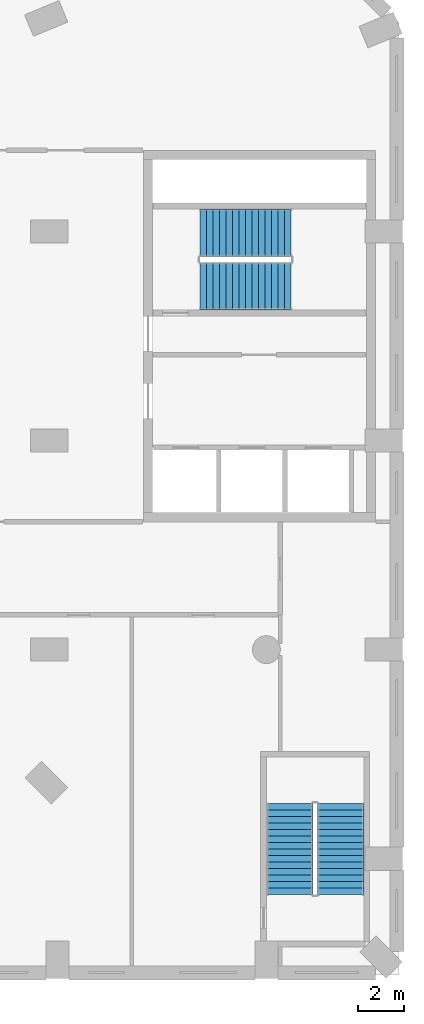
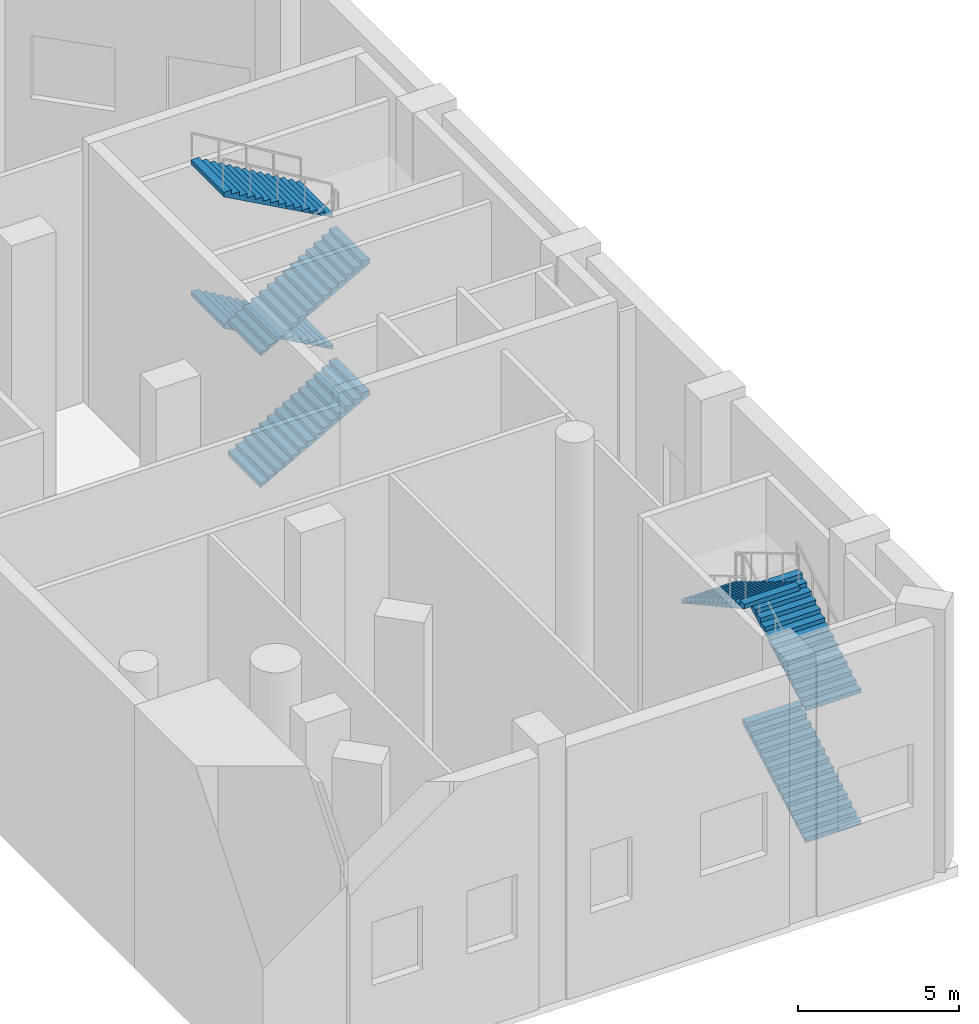
# One storey, part 13 of 17: 7 stair flights, 2 elements without a shape of their own.
"""IFC4 building model written with IfcOpenShell, lengths in metres."""

from ifc_helpers import new_model, si_unit, direction, frame, origin, place, context, subcontext, project, spatial, triangles, material, type_object, element, aggregate, save


model = new_model("IFC4")

# Units and contexts
model_context = context("Model", 3, precision=1e-05, world=origin(), true_north=direction((0.0, 1.0)))
body_context = subcontext(model_context, "Body", "Model", "MODEL_VIEW")
ifc_project = project(units=[si_unit("LENGTHUNIT", "METRE"), si_unit("AREAUNIT", "SQUARE_METRE"), si_unit("VOLUMEUNIT", "CUBIC_METRE"), si_unit("PLANEANGLEUNIT", "RADIAN"), si_unit("MASSUNIT", "GRAM", prefix="KILO")], contexts=[model_context])

# Site, building, storey
site_placement = place(None, origin())
site = spatial("IfcSite", under=ifc_project, at=site_placement, CompositionType="ELEMENT")
building_placement = place(site_placement, origin())
building = spatial("IfcBuilding", under=site, at=building_placement, Name="Cypress Arch Tower", CompositionType="ELEMENT")
storey_placement = place(building_placement, frame((0.0, 0.0, 19.0)))
storey = spatial("IfcBuildingStorey", under=building, at=storey_placement, Name="L02", CompositionType="ELEMENT", Elevation=19.0)

# Stair, stair flights
ifc_material_1 = material(Name="Concrete C40/50", Category="concrete")
stair_type_1 = type_object("IfcStairType", Name="Exit stair ES1667-200", PredefinedType="HALF_TURN_STAIR", material=ifc_material_1)
stair_1_placement = place(storey_placement, origin())
stair_1 = element("IfcStair", 1, at=stair_1_placement, inside=storey, type_object=stair_type_1, Name="L02 Exit stair P4", PredefinedType="HALF_TURN_STAIR")
ifc_material_2 = material(Name="Concrete C40/50", Category="concrete")
stair_flight_type_1 = type_object("IfcStairFlightType", Name="Exit stair flight ES1667-200", PredefinedType="STRAIGHT", material=ifc_material_2)
stair_flight_1_placement = place(storey_placement, frame((36.5, -24.050048828125, 0.0), z_axis=(0.0, 0.0, 1.0), x_axis=(0.0, 1.0, 0.0)))
stair_flight_1 = element("IfcStairFlight", 2, at=stair_flight_1_placement, type_object=stair_flight_type_1, Name="P4 flight 1", NumberOfRisers=15, NumberOfTreads=14, PredefinedType="STRAIGHT", RiserHeight=0.166666667, TreadLength=0.28, context=body_context, shape_type="Tessellation", body=[
    triangles([(0.0, -1.0, 0.0), (0.0, -1.0, 0.166748046875), (0.280029296875, -1.0, 0.166748046875), (0.280029296875, -1.0, 0.333251953125), (0.56005859375, -1.0, 0.333251953125), (0.56005859375, -1.0, 0.5), (0.840087890625, -1.0, 0.5), (0.840087890625, -1.0, 0.666748046875), (1.1201171875, -1.0, 0.666748046875), (1.1201171875, -1.0, 0.833251953125), (1.39990234375, -1.0, 0.833251953125), (1.39990234375, -1.0, 1.0), (1.679931640625, -1.0, 1.0), (1.679931640625, -1.0, 1.166748046875), (1.9599609375, -1.0, 1.166748046875), (1.9599609375, -1.0, 1.333251953125), (2.239990234375, -1.0, 1.333251953125), (2.239990234375, -1.0, 1.5), (2.52001953125, -1.0, 1.5), (2.52001953125, -1.0, 1.666748046875), (2.800048828125, -1.0, 1.666748046875), (2.800048828125, -1.0, 1.833251953125), (3.080078125, -1.0, 1.833251953125), (3.080078125, -1.0, 2.0), (3.360107421875, -1.0, 2.0), (3.360107421875, -1.0, 2.166748046875), (3.639892578125, -1.0, 2.166748046875), (3.639892578125, -1.0, 2.333251953125), (3.919921875, -1.0, 2.333251953125), (3.919921875, -1.0, 2.158935546875), (3.919921875, 1.0, 2.158935546875), (3.919921875, 1.0, 2.333251953125), (3.639892578125, 1.0, 2.333251953125), (3.639892578125, 1.0, 2.166748046875), (3.360107421875, 1.0, 2.166748046875), (3.360107421875, 1.0, 2.0), (3.080078125, 1.0, 2.0), (3.080078125, 1.0, 1.833251953125), (2.800048828125, 1.0, 1.833251953125), (2.800048828125, 1.0, 1.666748046875), (2.52001953125, 1.0, 1.666748046875), (2.52001953125, 1.0, 1.5), (2.239990234375, 1.0, 1.5), (2.239990234375, 1.0, 1.333251953125), (1.9599609375, 1.0, 1.333251953125), (1.9599609375, 1.0, 1.166748046875), (1.679931640625, 1.0, 1.166748046875), (1.679931640625, 1.0, 1.0), (1.39990234375, 1.0, 1.0), (1.39990234375, 1.0, 0.833251953125), (1.1201171875, 1.0, 0.833251953125), (1.1201171875, 1.0, 0.666748046875), (0.840087890625, 1.0, 0.666748046875), (0.840087890625, 1.0, 0.5), (0.56005859375, 1.0, 0.5), (0.56005859375, 1.0, 0.333251953125), (0.280029296875, 1.0, 0.333251953125), (0.280029296875, 1.0, 0.166748046875), (0.0, 1.0, 0.166748046875), (0.0, 1.0, 0.0)], [[30, 29, 28], [27, 26, 25], [25, 24, 23], [21, 20, 19], [19, 18, 17], [15, 14, 13], [13, 12, 11], [9, 8, 7], [7, 6, 5], [3, 2, 1], [11, 10, 9], [23, 22, 21], [17, 16, 15], [5, 4, 3], [30, 28, 27], [30, 27, 25], [30, 25, 23], [30, 23, 21], [30, 21, 19], [30, 19, 17], [30, 17, 15], [30, 15, 13], [30, 13, 11], [30, 11, 9], [30, 9, 7], [30, 7, 5], [1, 30, 5], [5, 3, 1], [31, 33, 32], [34, 36, 35], [36, 38, 37], [40, 42, 41], [42, 44, 43], [46, 48, 47], [48, 50, 49], [52, 54, 53], [54, 56, 55], [58, 60, 59], [50, 52, 51], [38, 40, 39], [44, 46, 45], [56, 58, 57], [31, 34, 33], [31, 36, 34], [31, 38, 36], [31, 40, 38], [31, 42, 40], [31, 44, 42], [31, 46, 44], [31, 48, 46], [31, 50, 48], [31, 52, 50], [31, 54, 52], [31, 56, 54], [60, 56, 31], [56, 60, 58], [31, 32, 29], [31, 29, 30], [32, 33, 28], [32, 28, 29], [33, 34, 27], [33, 27, 28], [34, 35, 26], [34, 26, 27], [35, 36, 25], [35, 25, 26], [36, 37, 24], [36, 24, 25], [37, 38, 23], [37, 23, 24], [38, 39, 22], [38, 22, 23], [39, 40, 21], [39, 21, 22], [40, 41, 20], [40, 20, 21], [41, 42, 19], [41, 19, 20], [42, 43, 18], [42, 18, 19], [43, 44, 17], [43, 17, 18], [44, 45, 16], [44, 16, 17], [45, 46, 15], [45, 15, 16], [46, 47, 14], [46, 14, 15], [47, 48, 13], [47, 13, 14], [48, 49, 12], [48, 12, 13], [49, 50, 11], [49, 11, 12], [50, 51, 10], [50, 10, 11], [51, 52, 9], [51, 9, 10], [52, 53, 8], [52, 8, 9], [53, 54, 7], [53, 7, 8], [54, 55, 6], [54, 6, 7], [55, 56, 5], [55, 5, 6], [56, 57, 4], [56, 4, 5], [57, 58, 3], [57, 3, 4], [58, 59, 2], [58, 2, 3], [59, 60, 1], [59, 1, 2], [60, 31, 30], [60, 30, 1]], closed=True),
])
stair_flight_2_placement = place(storey_placement, frame((36.5, -24.050048828125, 5.0), z_axis=(0.0, 0.0, 1.0), x_axis=(0.0, 1.0, 0.0)))
stair_flight_2 = element("IfcStairFlight", 3, at=stair_flight_2_placement, type_object=stair_flight_type_1, Name="P4 flight 3", NumberOfRisers=15, NumberOfTreads=14, PredefinedType="STRAIGHT", RiserHeight=0.166666667, TreadLength=0.28, context=body_context, shape_type="Tessellation", body=[
    triangles([(0.0, -1.0, 0.0), (0.0, -1.0, 0.166748046875), (0.280029296875, -1.0, 0.166748046875), (0.280029296875, -1.0, 0.333251953125), (0.56005859375, -1.0, 0.333251953125), (0.56005859375, -1.0, 0.5), (0.840087890625, -1.0, 0.5), (0.840087890625, -1.0, 0.666748046875), (1.1201171875, -1.0, 0.666748046875), (1.1201171875, -1.0, 0.833251953125), (1.39990234375, -1.0, 0.833251953125), (1.39990234375, -1.0, 1.0), (1.679931640625, -1.0, 1.0), (1.679931640625, -1.0, 1.166748046875), (1.9599609375, -1.0, 1.166748046875), (1.9599609375, -1.0, 1.333251953125), (2.239990234375, -1.0, 1.333251953125), (2.239990234375, -1.0, 1.5), (2.52001953125, -1.0, 1.5), (2.52001953125, -1.0, 1.666748046875), (2.800048828125, -1.0, 1.666748046875), (2.800048828125, -1.0, 1.833251953125), (3.080078125, -1.0, 1.833251953125), (3.080078125, -1.0, 2.0), (3.360107421875, -1.0, 2.0), (3.360107421875, -1.0, 2.166748046875), (3.639892578125, -1.0, 2.166748046875), (3.639892578125, -1.0, 2.333251953125), (3.919921875, -1.0, 2.333251953125), (3.919921875, -1.0, 2.158935546875), (3.919921875, 1.0, 2.158935546875), (3.919921875, 1.0, 2.333251953125), (3.639892578125, 1.0, 2.333251953125), (3.639892578125, 1.0, 2.166748046875), (3.360107421875, 1.0, 2.166748046875), (3.360107421875, 1.0, 2.0), (3.080078125, 1.0, 2.0), (3.080078125, 1.0, 1.833251953125), (2.800048828125, 1.0, 1.833251953125), (2.800048828125, 1.0, 1.666748046875), (2.52001953125, 1.0, 1.666748046875), (2.52001953125, 1.0, 1.5), (2.239990234375, 1.0, 1.5), (2.239990234375, 1.0, 1.333251953125), (1.9599609375, 1.0, 1.333251953125), (1.9599609375, 1.0, 1.166748046875), (1.679931640625, 1.0, 1.166748046875), (1.679931640625, 1.0, 1.0), (1.39990234375, 1.0, 1.0), (1.39990234375, 1.0, 0.833251953125), (1.1201171875, 1.0, 0.833251953125), (1.1201171875, 1.0, 0.666748046875), (0.840087890625, 1.0, 0.666748046875), (0.840087890625, 1.0, 0.5), (0.56005859375, 1.0, 0.5), (0.56005859375, 1.0, 0.333251953125), (0.280029296875, 1.0, 0.333251953125), (0.280029296875, 1.0, 0.166748046875), (0.0, 1.0, 0.166748046875), (0.0, 1.0, 0.0)], [[30, 29, 28], [27, 26, 25], [25, 24, 23], [21, 20, 19], [19, 18, 17], [15, 14, 13], [13, 12, 11], [9, 8, 7], [7, 6, 5], [3, 2, 1], [11, 10, 9], [23, 22, 21], [17, 16, 15], [5, 4, 3], [30, 28, 27], [30, 27, 25], [30, 25, 23], [30, 23, 21], [30, 21, 19], [30, 19, 17], [30, 17, 15], [30, 15, 13], [30, 13, 11], [30, 11, 9], [30, 9, 7], [30, 7, 5], [1, 30, 5], [5, 3, 1], [31, 33, 32], [34, 36, 35], [36, 38, 37], [40, 42, 41], [42, 44, 43], [46, 48, 47], [48, 50, 49], [52, 54, 53], [54, 56, 55], [58, 60, 59], [50, 52, 51], [38, 40, 39], [44, 46, 45], [56, 58, 57], [31, 34, 33], [31, 36, 34], [31, 38, 36], [31, 40, 38], [31, 42, 40], [31, 44, 42], [31, 46, 44], [31, 48, 46], [31, 50, 48], [31, 52, 50], [31, 54, 52], [31, 56, 54], [60, 56, 31], [56, 60, 58], [31, 32, 29], [31, 29, 30], [32, 33, 28], [32, 28, 29], [33, 34, 27], [33, 27, 28], [34, 35, 26], [34, 26, 27], [35, 36, 25], [35, 25, 26], [36, 37, 24], [36, 24, 25], [37, 38, 23], [37, 23, 24], [38, 39, 22], [38, 22, 23], [39, 40, 21], [39, 21, 22], [40, 41, 20], [40, 20, 21], [41, 42, 19], [41, 19, 20], [42, 43, 18], [42, 18, 19], [43, 44, 17], [43, 17, 18], [44, 45, 16], [44, 16, 17], [45, 46, 15], [45, 15, 16], [46, 47, 14], [46, 14, 15], [47, 48, 13], [47, 13, 14], [48, 49, 12], [48, 12, 13], [49, 50, 11], [49, 11, 12], [50, 51, 10], [50, 10, 11], [51, 52, 9], [51, 9, 10], [52, 53, 8], [52, 8, 9], [53, 54, 7], [53, 7, 8], [54, 55, 6], [54, 6, 7], [55, 56, 5], [55, 5, 6], [56, 57, 4], [56, 4, 5], [57, 58, 3], [57, 3, 4], [58, 59, 2], [58, 2, 3], [59, 60, 1], [59, 1, 2], [60, 31, 30], [60, 30, 1]], closed=True),
])
stair_flight_3_placement = place(storey_placement, frame((34.300048828125, -20.1298828125, 7.5), z_axis=(0.0, 0.0, 1.0), x_axis=(0.0, -1.0, 0.0)))
stair_flight_3 = element("IfcStairFlight", 4, at=stair_flight_3_placement, type_object=stair_flight_type_1, Name="P4 flight 4", NumberOfRisers=15, NumberOfTreads=14, PredefinedType="STRAIGHT", RiserHeight=0.166666667, TreadLength=0.28, context=body_context, shape_type="Tessellation", body=[
    triangles([(0.0, -1.0, 0.0), (0.0, -1.0, 0.166748046875), (0.280029296875, -1.0, 0.166748046875), (0.280029296875, -1.0, 0.333251953125), (0.56005859375, -1.0, 0.333251953125), (0.56005859375, -1.0, 0.5), (0.840087890625, -1.0, 0.5), (0.840087890625, -1.0, 0.666748046875), (1.1201171875, -1.0, 0.666748046875), (1.1201171875, -1.0, 0.833251953125), (1.39990234375, -1.0, 0.833251953125), (1.39990234375, -1.0, 1.0), (1.679931640625, -1.0, 1.0), (1.679931640625, -1.0, 1.166748046875), (1.9599609375, -1.0, 1.166748046875), (1.9599609375, -1.0, 1.333251953125), (2.239990234375, -1.0, 1.333251953125), (2.239990234375, -1.0, 1.5), (2.52001953125, -1.0, 1.5), (2.52001953125, -1.0, 1.666748046875), (2.800048828125, -1.0, 1.666748046875), (2.800048828125, -1.0, 1.833251953125), (3.080078125, -1.0, 1.833251953125), (3.080078125, -1.0, 2.0), (3.360107421875, -1.0, 2.0), (3.360107421875, -1.0, 2.166748046875), (3.639892578125, -1.0, 2.166748046875), (3.639892578125, -1.0, 2.333251953125), (3.919921875, -1.0, 2.333251953125), (3.919921875, -1.0, 2.158935546875), (3.919921875, 1.0, 2.158935546875), (3.919921875, 1.0, 2.333251953125), (3.639892578125, 1.0, 2.333251953125), (3.639892578125, 1.0, 2.166748046875), (3.360107421875, 1.0, 2.166748046875), (3.360107421875, 1.0, 2.0), (3.080078125, 1.0, 2.0), (3.080078125, 1.0, 1.833251953125), (2.800048828125, 1.0, 1.833251953125), (2.800048828125, 1.0, 1.666748046875), (2.52001953125, 1.0, 1.666748046875), (2.52001953125, 1.0, 1.5), (2.239990234375, 1.0, 1.5), (2.239990234375, 1.0, 1.333251953125), (1.9599609375, 1.0, 1.333251953125), (1.9599609375, 1.0, 1.166748046875), (1.679931640625, 1.0, 1.166748046875), (1.679931640625, 1.0, 1.0), (1.39990234375, 1.0, 1.0), (1.39990234375, 1.0, 0.833251953125), (1.1201171875, 1.0, 0.833251953125), (1.1201171875, 1.0, 0.666748046875), (0.840087890625, 1.0, 0.666748046875), (0.840087890625, 1.0, 0.5), (0.56005859375, 1.0, 0.5), (0.56005859375, 1.0, 0.333251953125), (0.280029296875, 1.0, 0.333251953125), (0.280029296875, 1.0, 0.166748046875), (0.0, 1.0, 0.166748046875), (0.0, 1.0, 0.0)], [[30, 29, 28], [27, 26, 25], [25, 24, 23], [21, 20, 19], [19, 18, 17], [15, 14, 13], [13, 12, 11], [9, 8, 7], [7, 6, 5], [3, 2, 1], [11, 10, 9], [23, 22, 21], [17, 16, 15], [5, 4, 3], [30, 28, 27], [30, 27, 25], [30, 25, 23], [30, 23, 21], [30, 21, 19], [30, 19, 17], [30, 17, 15], [30, 15, 13], [30, 13, 11], [30, 11, 9], [30, 9, 7], [30, 7, 5], [1, 30, 5], [5, 3, 1], [31, 33, 32], [34, 36, 35], [36, 38, 37], [40, 42, 41], [42, 44, 43], [46, 48, 47], [48, 50, 49], [52, 54, 53], [54, 56, 55], [58, 60, 59], [50, 52, 51], [38, 40, 39], [44, 46, 45], [56, 58, 57], [31, 34, 33], [31, 36, 34], [31, 38, 36], [31, 40, 38], [31, 42, 40], [31, 44, 42], [31, 46, 44], [31, 48, 46], [31, 50, 48], [31, 52, 50], [31, 54, 52], [31, 56, 54], [60, 56, 31], [56, 60, 58], [31, 32, 29], [31, 29, 30], [32, 33, 28], [32, 28, 29], [33, 34, 27], [33, 27, 28], [34, 35, 26], [34, 26, 27], [35, 36, 25], [35, 25, 26], [36, 37, 24], [36, 24, 25], [37, 38, 23], [37, 23, 24], [38, 39, 22], [38, 22, 23], [39, 40, 21], [39, 21, 22], [40, 41, 20], [40, 20, 21], [41, 42, 19], [41, 19, 20], [42, 43, 18], [42, 18, 19], [43, 44, 17], [43, 17, 18], [44, 45, 16], [44, 16, 17], [45, 46, 15], [45, 15, 16], [46, 47, 14], [46, 14, 15], [47, 48, 13], [47, 13, 14], [48, 49, 12], [48, 12, 13], [49, 50, 11], [49, 11, 12], [50, 51, 10], [50, 10, 11], [51, 52, 9], [51, 9, 10], [52, 53, 8], [52, 8, 9], [53, 54, 7], [53, 7, 8], [54, 55, 6], [54, 6, 7], [55, 56, 5], [55, 5, 6], [56, 57, 4], [56, 4, 5], [57, 58, 3], [57, 3, 4], [58, 59, 2], [58, 2, 3], [59, 60, 1], [59, 1, 2], [60, 31, 30], [60, 30, 1]], closed=True),
])
aggregate(stair_1, [stair_flight_1, stair_flight_2, stair_flight_3])

ifc_material_3 = material(Name="Concrete C40/50", Category="concrete")
stair_type_2 = type_object("IfcStairType", Name="Exit stair ES1667-205", PredefinedType="HALF_TURN_STAIR", material=ifc_material_3)
stair_2_placement = place(storey_placement, origin())
stair_2 = element("IfcStair", 5, at=stair_2_placement, inside=storey, type_object=stair_type_2, Name="L02 Exit stair P3", PredefinedType="HALF_TURN_STAIR")
ifc_material_4 = material(Name="Concrete C40/50", Category="concrete")
stair_flight_type_2 = type_object("IfcStairFlightType", Name="Exit stair flight ES1667-205", PredefinedType="STRAIGHT", material=ifc_material_4)
stair_flight_4_placement = place(storey_placement, frame((30.449951171875, 2.14990234375, 0.0), z_axis=(0.0, 0.0, 1.0), x_axis=(1.0, 0.0, 0.0)))
stair_flight_4 = element("IfcStairFlight", 6, at=stair_flight_4_placement, type_object=stair_flight_type_2, Name="P3 flight 1", NumberOfRisers=15, NumberOfTreads=14, PredefinedType="STRAIGHT", RiserHeight=0.166666667, TreadLength=0.28, context=body_context, shape_type="Tessellation", body=[
    triangles([(0.0, -1.02490234375, 0.0), (0.0, -1.02490234375, 0.166748046875), (0.280029296875, -1.02490234375, 0.166748046875), (0.280029296875, -1.02490234375, 0.333251953125), (0.56005859375, -1.02490234375, 0.333251953125), (0.56005859375, -1.02490234375, 0.5), (0.840087890625, -1.02490234375, 0.5), (0.840087890625, -1.02490234375, 0.666748046875), (1.1201171875, -1.02490234375, 0.666748046875), (1.1201171875, -1.02490234375, 0.833251953125), (1.39990234375, -1.02490234375, 0.833251953125), (1.39990234375, -1.02490234375, 1.0), (1.679931640625, -1.02490234375, 1.0), (1.679931640625, -1.02490234375, 1.166748046875), (1.9599609375, -1.02490234375, 1.166748046875), (1.9599609375, -1.02490234375, 1.333251953125), (2.239990234375, -1.02490234375, 1.333251953125), (2.239990234375, -1.02490234375, 1.5), (2.52001953125, -1.02490234375, 1.5), (2.52001953125, -1.02490234375, 1.666748046875), (2.800048828125, -1.02490234375, 1.666748046875), (2.800048828125, -1.02490234375, 1.833251953125), (3.080078125, -1.02490234375, 1.833251953125), (3.080078125, -1.02490234375, 2.0), (3.360107421875, -1.02490234375, 2.0), (3.360107421875, -1.02490234375, 2.166748046875), (3.639892578125, -1.02490234375, 2.166748046875), (3.639892578125, -1.02490234375, 2.333251953125), (3.919921875, -1.02490234375, 2.333251953125), (3.919921875, -1.02490234375, 2.158935546875), (3.919921875, 1.02490234375, 2.158935546875), (3.919921875, 1.02490234375, 2.333251953125), (3.639892578125, 1.02490234375, 2.333251953125), (3.639892578125, 1.02490234375, 2.166748046875), (3.360107421875, 1.02490234375, 2.166748046875), (3.360107421875, 1.02490234375, 2.0), (3.080078125, 1.02490234375, 2.0), (3.080078125, 1.02490234375, 1.833251953125), (2.800048828125, 1.02490234375, 1.833251953125), (2.800048828125, 1.02490234375, 1.666748046875), (2.52001953125, 1.02490234375, 1.666748046875), (2.52001953125, 1.02490234375, 1.5), (2.239990234375, 1.02490234375, 1.5), (2.239990234375, 1.02490234375, 1.333251953125), (1.9599609375, 1.02490234375, 1.333251953125), (1.9599609375, 1.02490234375, 1.166748046875), (1.679931640625, 1.02490234375, 1.166748046875), (1.679931640625, 1.02490234375, 1.0), (1.39990234375, 1.02490234375, 1.0), (1.39990234375, 1.02490234375, 0.833251953125), (1.1201171875, 1.02490234375, 0.833251953125), (1.1201171875, 1.02490234375, 0.666748046875), (0.840087890625, 1.02490234375, 0.666748046875), (0.840087890625, 1.02490234375, 0.5), (0.56005859375, 1.02490234375, 0.5), (0.56005859375, 1.02490234375, 0.333251953125), (0.280029296875, 1.02490234375, 0.333251953125), (0.280029296875, 1.02490234375, 0.166748046875), (0.0, 1.02490234375, 0.166748046875), (0.0, 1.02490234375, 0.0)], [[30, 29, 28], [27, 26, 25], [25, 24, 23], [21, 20, 19], [19, 18, 17], [15, 14, 13], [13, 12, 11], [9, 8, 7], [7, 6, 5], [3, 2, 1], [11, 10, 9], [23, 22, 21], [17, 16, 15], [5, 4, 3], [30, 28, 27], [30, 27, 25], [30, 25, 23], [30, 23, 21], [30, 21, 19], [30, 19, 17], [30, 17, 15], [30, 15, 13], [30, 13, 11], [30, 11, 9], [30, 9, 7], [30, 7, 5], [1, 30, 5], [5, 3, 1], [31, 33, 32], [34, 36, 35], [36, 38, 37], [40, 42, 41], [42, 44, 43], [46, 48, 47], [48, 50, 49], [52, 54, 53], [54, 56, 55], [58, 60, 59], [50, 52, 51], [38, 40, 39], [44, 46, 45], [56, 58, 57], [31, 34, 33], [31, 36, 34], [31, 38, 36], [31, 40, 38], [31, 42, 40], [31, 44, 42], [31, 46, 44], [31, 48, 46], [31, 50, 48], [31, 52, 50], [31, 54, 52], [31, 56, 54], [60, 56, 31], [56, 60, 58], [31, 32, 29], [31, 29, 30], [32, 33, 28], [32, 28, 29], [33, 34, 27], [33, 27, 28], [34, 35, 26], [34, 26, 27], [35, 36, 25], [35, 25, 26], [36, 37, 24], [36, 24, 25], [37, 38, 23], [37, 23, 24], [38, 39, 22], [38, 22, 23], [39, 40, 21], [39, 21, 22], [40, 41, 20], [40, 20, 21], [41, 42, 19], [41, 19, 20], [42, 43, 18], [42, 18, 19], [43, 44, 17], [43, 17, 18], [44, 45, 16], [44, 16, 17], [45, 46, 15], [45, 15, 16], [46, 47, 14], [46, 14, 15], [47, 48, 13], [47, 13, 14], [48, 49, 12], [48, 12, 13], [49, 50, 11], [49, 11, 12], [50, 51, 10], [50, 10, 11], [51, 52, 9], [51, 9, 10], [52, 53, 8], [52, 8, 9], [53, 54, 7], [53, 7, 8], [54, 55, 6], [54, 6, 7], [55, 56, 5], [55, 5, 6], [56, 57, 4], [56, 4, 5], [57, 58, 3], [57, 3, 4], [58, 59, 2], [58, 2, 3], [59, 60, 1], [59, 1, 2], [60, 31, 30], [60, 30, 1]], closed=True),
])
stair_flight_5_placement = place(storey_placement, frame((34.3701171875, 4.449951171875, 2.5), z_axis=(0.0, 0.0, 1.0), x_axis=(-1.0, 0.0, 0.0)))
stair_flight_5 = element("IfcStairFlight", 7, at=stair_flight_5_placement, type_object=stair_flight_type_2, Name="P3 flight 2", NumberOfRisers=15, NumberOfTreads=14, PredefinedType="STRAIGHT", RiserHeight=0.166666667, TreadLength=0.28, context=body_context, shape_type="Tessellation", body=[
    triangles([(0.0, -1.02490234375, 0.0), (0.0, -1.02490234375, 0.166748046875), (0.280029296875, -1.02490234375, 0.166748046875), (0.280029296875, -1.02490234375, 0.333251953125), (0.56005859375, -1.02490234375, 0.333251953125), (0.56005859375, -1.02490234375, 0.5), (0.840087890625, -1.02490234375, 0.5), (0.840087890625, -1.02490234375, 0.666748046875), (1.1201171875, -1.02490234375, 0.666748046875), (1.1201171875, -1.02490234375, 0.833251953125), (1.39990234375, -1.02490234375, 0.833251953125), (1.39990234375, -1.02490234375, 1.0), (1.679931640625, -1.02490234375, 1.0), (1.679931640625, -1.02490234375, 1.166748046875), (1.9599609375, -1.02490234375, 1.166748046875), (1.9599609375, -1.02490234375, 1.333251953125), (2.239990234375, -1.02490234375, 1.333251953125), (2.239990234375, -1.02490234375, 1.5), (2.52001953125, -1.02490234375, 1.5), (2.52001953125, -1.02490234375, 1.666748046875), (2.800048828125, -1.02490234375, 1.666748046875), (2.800048828125, -1.02490234375, 1.833251953125), (3.080078125, -1.02490234375, 1.833251953125), (3.080078125, -1.02490234375, 2.0), (3.360107421875, -1.02490234375, 2.0), (3.360107421875, -1.02490234375, 2.166748046875), (3.639892578125, -1.02490234375, 2.166748046875), (3.639892578125, -1.02490234375, 2.333251953125), (3.919921875, -1.02490234375, 2.333251953125), (3.919921875, -1.02490234375, 2.158935546875), (3.919921875, 1.02490234375, 2.158935546875), (3.919921875, 1.02490234375, 2.333251953125), (3.639892578125, 1.02490234375, 2.333251953125), (3.639892578125, 1.02490234375, 2.166748046875), (3.360107421875, 1.02490234375, 2.166748046875), (3.360107421875, 1.02490234375, 2.0), (3.080078125, 1.02490234375, 2.0), (3.080078125, 1.02490234375, 1.833251953125), (2.800048828125, 1.02490234375, 1.833251953125), (2.800048828125, 1.02490234375, 1.666748046875), (2.52001953125, 1.02490234375, 1.666748046875), (2.52001953125, 1.02490234375, 1.5), (2.239990234375, 1.02490234375, 1.5), (2.239990234375, 1.02490234375, 1.333251953125), (1.9599609375, 1.02490234375, 1.333251953125), (1.9599609375, 1.02490234375, 1.166748046875), (1.679931640625, 1.02490234375, 1.166748046875), (1.679931640625, 1.02490234375, 1.0), (1.39990234375, 1.02490234375, 1.0), (1.39990234375, 1.02490234375, 0.833251953125), (1.1201171875, 1.02490234375, 0.833251953125), (1.1201171875, 1.02490234375, 0.666748046875), (0.840087890625, 1.02490234375, 0.666748046875), (0.840087890625, 1.02490234375, 0.5), (0.56005859375, 1.02490234375, 0.5), (0.56005859375, 1.02490234375, 0.333251953125), (0.280029296875, 1.02490234375, 0.333251953125), (0.280029296875, 1.02490234375, 0.166748046875), (0.0, 1.02490234375, 0.166748046875), (0.0, 1.02490234375, 0.0)], [[30, 29, 28], [27, 26, 25], [25, 24, 23], [21, 20, 19], [19, 18, 17], [15, 14, 13], [13, 12, 11], [9, 8, 7], [7, 6, 5], [3, 2, 1], [11, 10, 9], [23, 22, 21], [17, 16, 15], [5, 4, 3], [30, 28, 27], [30, 27, 25], [30, 25, 23], [30, 23, 21], [30, 21, 19], [30, 19, 17], [30, 17, 15], [30, 15, 13], [30, 13, 11], [30, 11, 9], [30, 9, 7], [30, 7, 5], [1, 30, 5], [5, 3, 1], [31, 33, 32], [34, 36, 35], [36, 38, 37], [40, 42, 41], [42, 44, 43], [46, 48, 47], [48, 50, 49], [52, 54, 53], [54, 56, 55], [58, 60, 59], [50, 52, 51], [38, 40, 39], [44, 46, 45], [56, 58, 57], [31, 34, 33], [31, 36, 34], [31, 38, 36], [31, 40, 38], [31, 42, 40], [31, 44, 42], [31, 46, 44], [31, 48, 46], [31, 50, 48], [31, 52, 50], [31, 54, 52], [31, 56, 54], [60, 56, 31], [56, 60, 58], [31, 32, 29], [31, 29, 30], [32, 33, 28], [32, 28, 29], [33, 34, 27], [33, 27, 28], [34, 35, 26], [34, 26, 27], [35, 36, 25], [35, 25, 26], [36, 37, 24], [36, 24, 25], [37, 38, 23], [37, 23, 24], [38, 39, 22], [38, 22, 23], [39, 40, 21], [39, 21, 22], [40, 41, 20], [40, 20, 21], [41, 42, 19], [41, 19, 20], [42, 43, 18], [42, 18, 19], [43, 44, 17], [43, 17, 18], [44, 45, 16], [44, 16, 17], [45, 46, 15], [45, 15, 16], [46, 47, 14], [46, 14, 15], [47, 48, 13], [47, 13, 14], [48, 49, 12], [48, 12, 13], [49, 50, 11], [49, 11, 12], [50, 51, 10], [50, 10, 11], [51, 52, 9], [51, 9, 10], [52, 53, 8], [52, 8, 9], [53, 54, 7], [53, 7, 8], [54, 55, 6], [54, 6, 7], [55, 56, 5], [55, 5, 6], [56, 57, 4], [56, 4, 5], [57, 58, 3], [57, 3, 4], [58, 59, 2], [58, 2, 3], [59, 60, 1], [59, 1, 2], [60, 31, 30], [60, 30, 1]], closed=True),
])
stair_flight_6_placement = place(storey_placement, frame((30.449951171875, 2.14990234375, 5.0), z_axis=(0.0, 0.0, 1.0), x_axis=(1.0, 0.0, 0.0)))
stair_flight_6 = element("IfcStairFlight", 8, at=stair_flight_6_placement, type_object=stair_flight_type_2, Name="P3 flight 3", NumberOfRisers=15, NumberOfTreads=14, PredefinedType="STRAIGHT", RiserHeight=0.166666667, TreadLength=0.28, context=body_context, shape_type="Tessellation", body=[
    triangles([(0.0, -1.02490234375, 0.0), (0.0, -1.02490234375, 0.166748046875), (0.280029296875, -1.02490234375, 0.166748046875), (0.280029296875, -1.02490234375, 0.333251953125), (0.56005859375, -1.02490234375, 0.333251953125), (0.56005859375, -1.02490234375, 0.5), (0.840087890625, -1.02490234375, 0.5), (0.840087890625, -1.02490234375, 0.666748046875), (1.1201171875, -1.02490234375, 0.666748046875), (1.1201171875, -1.02490234375, 0.833251953125), (1.39990234375, -1.02490234375, 0.833251953125), (1.39990234375, -1.02490234375, 1.0), (1.679931640625, -1.02490234375, 1.0), (1.679931640625, -1.02490234375, 1.166748046875), (1.9599609375, -1.02490234375, 1.166748046875), (1.9599609375, -1.02490234375, 1.333251953125), (2.239990234375, -1.02490234375, 1.333251953125), (2.239990234375, -1.02490234375, 1.5), (2.52001953125, -1.02490234375, 1.5), (2.52001953125, -1.02490234375, 1.666748046875), (2.800048828125, -1.02490234375, 1.666748046875), (2.800048828125, -1.02490234375, 1.833251953125), (3.080078125, -1.02490234375, 1.833251953125), (3.080078125, -1.02490234375, 2.0), (3.360107421875, -1.02490234375, 2.0), (3.360107421875, -1.02490234375, 2.166748046875), (3.639892578125, -1.02490234375, 2.166748046875), (3.639892578125, -1.02490234375, 2.333251953125), (3.919921875, -1.02490234375, 2.333251953125), (3.919921875, -1.02490234375, 2.158935546875), (3.919921875, 1.02490234375, 2.158935546875), (3.919921875, 1.02490234375, 2.333251953125), (3.639892578125, 1.02490234375, 2.333251953125), (3.639892578125, 1.02490234375, 2.166748046875), (3.360107421875, 1.02490234375, 2.166748046875), (3.360107421875, 1.02490234375, 2.0), (3.080078125, 1.02490234375, 2.0), (3.080078125, 1.02490234375, 1.833251953125), (2.800048828125, 1.02490234375, 1.833251953125), (2.800048828125, 1.02490234375, 1.666748046875), (2.52001953125, 1.02490234375, 1.666748046875), (2.52001953125, 1.02490234375, 1.5), (2.239990234375, 1.02490234375, 1.5), (2.239990234375, 1.02490234375, 1.333251953125), (1.9599609375, 1.02490234375, 1.333251953125), (1.9599609375, 1.02490234375, 1.166748046875), (1.679931640625, 1.02490234375, 1.166748046875), (1.679931640625, 1.02490234375, 1.0), (1.39990234375, 1.02490234375, 1.0), (1.39990234375, 1.02490234375, 0.833251953125), (1.1201171875, 1.02490234375, 0.833251953125), (1.1201171875, 1.02490234375, 0.666748046875), (0.840087890625, 1.02490234375, 0.666748046875), (0.840087890625, 1.02490234375, 0.5), (0.56005859375, 1.02490234375, 0.5), (0.56005859375, 1.02490234375, 0.333251953125), (0.280029296875, 1.02490234375, 0.333251953125), (0.280029296875, 1.02490234375, 0.166748046875), (0.0, 1.02490234375, 0.166748046875), (0.0, 1.02490234375, 0.0)], [[30, 29, 28], [27, 26, 25], [25, 24, 23], [21, 20, 19], [19, 18, 17], [15, 14, 13], [13, 12, 11], [9, 8, 7], [7, 6, 5], [3, 2, 1], [11, 10, 9], [23, 22, 21], [17, 16, 15], [5, 4, 3], [30, 28, 27], [30, 27, 25], [30, 25, 23], [30, 23, 21], [30, 21, 19], [30, 19, 17], [30, 17, 15], [30, 15, 13], [30, 13, 11], [30, 11, 9], [30, 9, 7], [30, 7, 5], [1, 30, 5], [5, 3, 1], [31, 33, 32], [34, 36, 35], [36, 38, 37], [40, 42, 41], [42, 44, 43], [46, 48, 47], [48, 50, 49], [52, 54, 53], [54, 56, 55], [58, 60, 59], [50, 52, 51], [38, 40, 39], [44, 46, 45], [56, 58, 57], [31, 34, 33], [31, 36, 34], [31, 38, 36], [31, 40, 38], [31, 42, 40], [31, 44, 42], [31, 46, 44], [31, 48, 46], [31, 50, 48], [31, 52, 50], [31, 54, 52], [31, 56, 54], [60, 56, 31], [56, 60, 58], [31, 32, 29], [31, 29, 30], [32, 33, 28], [32, 28, 29], [33, 34, 27], [33, 27, 28], [34, 35, 26], [34, 26, 27], [35, 36, 25], [35, 25, 26], [36, 37, 24], [36, 24, 25], [37, 38, 23], [37, 23, 24], [38, 39, 22], [38, 22, 23], [39, 40, 21], [39, 21, 22], [40, 41, 20], [40, 20, 21], [41, 42, 19], [41, 19, 20], [42, 43, 18], [42, 18, 19], [43, 44, 17], [43, 17, 18], [44, 45, 16], [44, 16, 17], [45, 46, 15], [45, 15, 16], [46, 47, 14], [46, 14, 15], [47, 48, 13], [47, 13, 14], [48, 49, 12], [48, 12, 13], [49, 50, 11], [49, 11, 12], [50, 51, 10], [50, 10, 11], [51, 52, 9], [51, 9, 10], [52, 53, 8], [52, 8, 9], [53, 54, 7], [53, 7, 8], [54, 55, 6], [54, 6, 7], [55, 56, 5], [55, 5, 6], [56, 57, 4], [56, 4, 5], [57, 58, 3], [57, 3, 4], [58, 59, 2], [58, 2, 3], [59, 60, 1], [59, 1, 2], [60, 31, 30], [60, 30, 1]], closed=True),
])
stair_flight_7_placement = place(storey_placement, frame((34.3701171875, 4.449951171875, 7.5), z_axis=(0.0, 0.0, 1.0), x_axis=(-1.0, 0.0, 0.0)))
stair_flight_7 = element("IfcStairFlight", 9, at=stair_flight_7_placement, type_object=stair_flight_type_2, Name="P3 flight 4", NumberOfRisers=15, NumberOfTreads=14, PredefinedType="STRAIGHT", RiserHeight=0.166666667, TreadLength=0.28, context=body_context, shape_type="Tessellation", body=[
    triangles([(0.0, -1.02490234375, 0.0), (0.0, -1.02490234375, 0.166748046875), (0.280029296875, -1.02490234375, 0.166748046875), (0.280029296875, -1.02490234375, 0.333251953125), (0.56005859375, -1.02490234375, 0.333251953125), (0.56005859375, -1.02490234375, 0.5), (0.840087890625, -1.02490234375, 0.5), (0.840087890625, -1.02490234375, 0.666748046875), (1.1201171875, -1.02490234375, 0.666748046875), (1.1201171875, -1.02490234375, 0.833251953125), (1.39990234375, -1.02490234375, 0.833251953125), (1.39990234375, -1.02490234375, 1.0), (1.679931640625, -1.02490234375, 1.0), (1.679931640625, -1.02490234375, 1.166748046875), (1.9599609375, -1.02490234375, 1.166748046875), (1.9599609375, -1.02490234375, 1.333251953125), (2.239990234375, -1.02490234375, 1.333251953125), (2.239990234375, -1.02490234375, 1.5), (2.52001953125, -1.02490234375, 1.5), (2.52001953125, -1.02490234375, 1.666748046875), (2.800048828125, -1.02490234375, 1.666748046875), (2.800048828125, -1.02490234375, 1.833251953125), (3.080078125, -1.02490234375, 1.833251953125), (3.080078125, -1.02490234375, 2.0), (3.360107421875, -1.02490234375, 2.0), (3.360107421875, -1.02490234375, 2.166748046875), (3.639892578125, -1.02490234375, 2.166748046875), (3.639892578125, -1.02490234375, 2.333251953125), (3.919921875, -1.02490234375, 2.333251953125), (3.919921875, -1.02490234375, 2.158935546875), (3.919921875, 1.02490234375, 2.158935546875), (3.919921875, 1.02490234375, 2.333251953125), (3.639892578125, 1.02490234375, 2.333251953125), (3.639892578125, 1.02490234375, 2.166748046875), (3.360107421875, 1.02490234375, 2.166748046875), (3.360107421875, 1.02490234375, 2.0), (3.080078125, 1.02490234375, 2.0), (3.080078125, 1.02490234375, 1.833251953125), (2.800048828125, 1.02490234375, 1.833251953125), (2.800048828125, 1.02490234375, 1.666748046875), (2.52001953125, 1.02490234375, 1.666748046875), (2.52001953125, 1.02490234375, 1.5), (2.239990234375, 1.02490234375, 1.5), (2.239990234375, 1.02490234375, 1.333251953125), (1.9599609375, 1.02490234375, 1.333251953125), (1.9599609375, 1.02490234375, 1.166748046875), (1.679931640625, 1.02490234375, 1.166748046875), (1.679931640625, 1.02490234375, 1.0), (1.39990234375, 1.02490234375, 1.0), (1.39990234375, 1.02490234375, 0.833251953125), (1.1201171875, 1.02490234375, 0.833251953125), (1.1201171875, 1.02490234375, 0.666748046875), (0.840087890625, 1.02490234375, 0.666748046875), (0.840087890625, 1.02490234375, 0.5), (0.56005859375, 1.02490234375, 0.5), (0.56005859375, 1.02490234375, 0.333251953125), (0.280029296875, 1.02490234375, 0.333251953125), (0.280029296875, 1.02490234375, 0.166748046875), (0.0, 1.02490234375, 0.166748046875), (0.0, 1.02490234375, 0.0)], [[30, 29, 28], [27, 26, 25], [25, 24, 23], [21, 20, 19], [19, 18, 17], [15, 14, 13], [13, 12, 11], [9, 8, 7], [7, 6, 5], [3, 2, 1], [11, 10, 9], [23, 22, 21], [17, 16, 15], [5, 4, 3], [30, 28, 27], [30, 27, 25], [30, 25, 23], [30, 23, 21], [30, 21, 19], [30, 19, 17], [30, 17, 15], [30, 15, 13], [30, 13, 11], [30, 11, 9], [30, 9, 7], [30, 7, 5], [1, 30, 5], [5, 3, 1], [31, 33, 32], [34, 36, 35], [36, 38, 37], [40, 42, 41], [42, 44, 43], [46, 48, 47], [48, 50, 49], [52, 54, 53], [54, 56, 55], [58, 60, 59], [50, 52, 51], [38, 40, 39], [44, 46, 45], [56, 58, 57], [31, 34, 33], [31, 36, 34], [31, 38, 36], [31, 40, 38], [31, 42, 40], [31, 44, 42], [31, 46, 44], [31, 48, 46], [31, 50, 48], [31, 52, 50], [31, 54, 52], [31, 56, 54], [60, 56, 31], [56, 60, 58], [31, 32, 29], [31, 29, 30], [32, 33, 28], [32, 28, 29], [33, 34, 27], [33, 27, 28], [34, 35, 26], [34, 26, 27], [35, 36, 25], [35, 25, 26], [36, 37, 24], [36, 24, 25], [37, 38, 23], [37, 23, 24], [38, 39, 22], [38, 22, 23], [39, 40, 21], [39, 21, 22], [40, 41, 20], [40, 20, 21], [41, 42, 19], [41, 19, 20], [42, 43, 18], [42, 18, 19], [43, 44, 17], [43, 17, 18], [44, 45, 16], [44, 16, 17], [45, 46, 15], [45, 15, 16], [46, 47, 14], [46, 14, 15], [47, 48, 13], [47, 13, 14], [48, 49, 12], [48, 12, 13], [49, 50, 11], [49, 11, 12], [50, 51, 10], [50, 10, 11], [51, 52, 9], [51, 9, 10], [52, 53, 8], [52, 8, 9], [53, 54, 7], [53, 7, 8], [54, 55, 6], [54, 6, 7], [55, 56, 5], [55, 5, 6], [56, 57, 4], [56, 4, 5], [57, 58, 3], [57, 3, 4], [58, 59, 2], [58, 2, 3], [59, 60, 1], [59, 1, 2], [60, 31, 30], [60, 30, 1]], closed=True),
])
aggregate(stair_2, [stair_flight_4, stair_flight_5, stair_flight_6, stair_flight_7])

save(model, "model.ifc")
